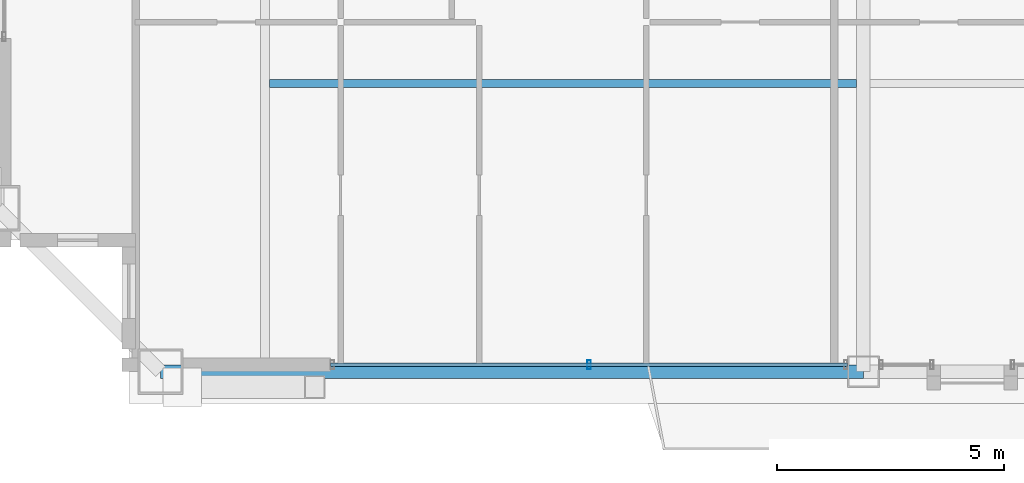
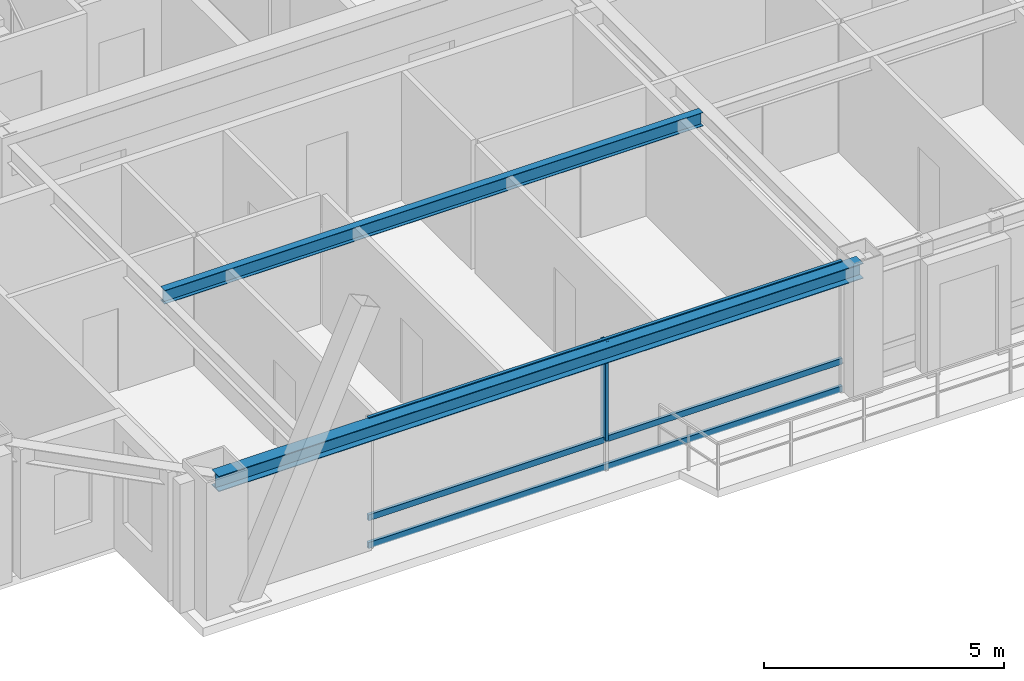
# One storey, part 5 of 35: 4 members, 2 beams, 1 element without a shape of its own.
"""IFC4 building model written with IfcOpenShell, lengths in metres."""

from ifc_helpers import new_model, si_unit, direction, frame, origin, origin_2d, place, context, subcontext, project, spatial, hollow_rectangle, i_section, extrude, source, transform, mapped, material, layer, layer_set, material_profile, profile_set, type_object, element, aggregate, save


model = new_model("IFC4")

# Units and contexts
model_context = context("Model", 3, precision=1e-05, world=origin(), true_north=direction((0.0, 1.0)))
body_context = subcontext(model_context, "Body", "Model", "MODEL_VIEW")
ifc_project = project(units=[si_unit("LENGTHUNIT", "METRE"), si_unit("AREAUNIT", "SQUARE_METRE"), si_unit("VOLUMEUNIT", "CUBIC_METRE"), si_unit("PLANEANGLEUNIT", "RADIAN"), si_unit("MASSUNIT", "GRAM", prefix="KILO"), si_unit("THERMODYNAMICTEMPERATUREUNIT", "KELVIN"), si_unit("POWERUNIT", "WATT")], contexts=[model_context])

# Site, building, storey
site_placement = place(None, origin())
site = spatial("IfcSite", under=ifc_project, at=site_placement, CompositionType="ELEMENT")
building_placement = place(site_placement, origin())
building = spatial("IfcBuilding", under=site, at=building_placement, Name="Yuzanri Waterfront Tower", CompositionType="ELEMENT")
storey_placement = place(building_placement, frame((0.0, 0.0, 299.60009765625)))
storey = spatial("IfcBuildingStorey", under=building, at=storey_placement, Name="L80", CompositionType="ELEMENT", Elevation=299.60009765625)

# Beams
ifc_material_1 = material(Name="Steel Q355B", Category="steel")
ifc_material_profile_1 = material_profile(ifc_material_1, i_section(OverallWidth=0.175048828125, OverallDepth=0.35009765625, WebThickness=0.007080078125, FlangeThickness=0.010986328125, at=origin_2d()), Name="HN 350x175x7x11")
ifc_profile_set_1 = profile_set([ifc_material_profile_1], Name="Steel Q355B")
beam_type_1 = type_object("IfcBeamType", Name="Floor Joist Q355B HN 350x175", PredefinedType="JOIST", material=ifc_profile_set_1)
shared_shape_1 = source(origin(), body_context, "Body", "SweptSolid", [
    extrude(i_section(OverallWidth=0.175048828125, OverallDepth=0.35009765625, WebThickness=0.007080078125, FlangeThickness=0.010986328125, at=origin_2d()), origin(), (0.0, 0.0, 1.0), 12.9501953125),
])
beam_1_placement = place(storey_placement, frame((23.89990234375, 13.050048828125, 3.10498046875), z_axis=(1.0, 0.0, 0.0), x_axis=(0.0, 1.0, 0.0)))
element("IfcBeam", 1, at=beam_1_placement, inside=storey, type_object=beam_type_1, Name="L80 South Bay Joist W", PredefinedType="JOIST", context=body_context, shape_type="MappedRepresentation", body=[
    mapped(shared_shape_1, transform((0.0, 0.0, 0.0), scale=1.0)),
])
ifc_material_2 = material(Name="Steel Q355B", Category="steel")
ifc_material_profile_2 = material_profile(ifc_material_2, i_section(OverallWidth=0.300048828125, OverallDepth=0.389892578125, WebThickness=0.010009765625, FlangeThickness=0.01611328125, at=origin_2d()), Name="HM 390x300x10x16")
ifc_profile_set_2 = profile_set([ifc_material_profile_2], Name="Steel Q355B")
beam_type_2 = type_object("IfcBeamType", Name="Perimeter Spandrel Q355B HM 390x300", PredefinedType="SPANDREL", material=ifc_profile_set_2)
shared_shape_2 = source(origin(), body_context, "Body", "SweptSolid", [
    extrude(i_section(OverallWidth=0.300048828125, OverallDepth=0.389892578125, WebThickness=0.010009765625, FlangeThickness=0.01611328125, at=origin_2d()), origin(), (0.0, 0.0, 1.0), 15.5),
])
beam_2_placement = place(storey_placement, frame((21.5, 6.699951171875, 3.0849609375), z_axis=(1.0, 0.0, 0.0), x_axis=(0.0, 1.0, 0.0)))
element("IfcBeam", 2, at=beam_2_placement, inside=storey, type_object=beam_type_2, Name="L80 Perimeter Spandrel S1-S2", PredefinedType="SPANDREL", context=body_context, shape_type="MappedRepresentation", body=[
    mapped(shared_shape_2, transform((0.0, 0.0, 0.0), scale=1.0)),
])

# Curtain wall, members
ifc_material_3 = material(Name="Anodized Architectural Bronze", Category="metal")
ifc_layer = layer(ifc_material_3, 0.159912109375)
ifc_layer_set = layer_set([ifc_layer], Name="Anodized Architectural Bronze")
curtain_wall_type = type_object("IfcCurtainWallType", Name="Anodized Bronze High-Rise Penthouse High-Wind Unitized Curtain Wall 6900", PredefinedType="NOTDEFINED", material=ifc_layer_set)
curtain_wall_placement = place(storey_placement, origin())
curtain_wall = element("IfcCurtainWall", 3, at=curtain_wall_placement, inside=storey, type_object=curtain_wall_type, Name="L80 Curtain Wall CW-L80-SL", PredefinedType="NOTDEFINED")
ifc_material_4 = material(Name="Anodized Architectural Bronze", Category="metal")
ifc_material_profile_3 = material_profile(ifc_material_4, hollow_rectangle(XDim=0.074951171875, YDim=0.199951171875, WallThickness=0.00390625, at=origin_2d()), Name="CWM 75x200")
ifc_profile_set_3 = profile_set([ifc_material_profile_3], Name="Anodized Architectural Bronze")
member_type_1 = type_object("IfcMemberType", Name="Anodized Bronze Primary Curtain-Wall Mullion 75x200", PredefinedType="MULLION", material=ifc_profile_set_3)
shared_shape_3 = source(origin(), body_context, "Body", "SweptSolid", [
    extrude(hollow_rectangle(XDim=0.074951171875, YDim=0.199951171875, WallThickness=0.00390625, at=origin_2d()), origin(), (0.0, 0.0, 1.0), 2.52392578125),
])
member_1_placement = place(storey_placement, frame((30.949951171875, 6.85009765625, 0.755859375), z_axis=(0.0, 0.0, 1.0), x_axis=(1.0, 0.0, 0.0)))
member_1 = element("IfcMember", 4, at=member_1_placement, type_object=member_type_1, Name="CW-L80-SL Upper Mullion 01", PredefinedType="MULLION", context=body_context, shape_type="MappedRepresentation", body=[
    mapped(shared_shape_3, transform((0.0, 0.0, 0.0), scale=1.0)),
])
ifc_material_5 = material(Name="Anodized Architectural Bronze", Category="metal")
ifc_material_profile_4 = material_profile(ifc_material_5, hollow_rectangle(XDim=0.074951171875, YDim=0.14990234375, WallThickness=0.00390625, at=origin_2d()), Name="CWT 75x150")
ifc_profile_set_4 = profile_set([ifc_material_profile_4], Name="Anodized Architectural Bronze")
member_type_2 = type_object("IfcMemberType", Name="Anodized Bronze Primary Curtain-Wall Transom 75x150", PredefinedType="USERDEFINED", material=ifc_profile_set_4)
shared_shape_4 = source(origin(), body_context, "Body", "SweptSolid", [
    extrude(hollow_rectangle(XDim=0.074951171875, YDim=0.14990234375, WallThickness=0.00390625, at=origin_2d()), origin(), (0.0, 0.0, 1.0), 11.39990234375),
])
member_2_placement = place(storey_placement, frame((25.25, 6.85009765625, 0.0498046875), z_axis=(1.0, 0.0, 0.0), x_axis=(0.0, 1.0, 0.0)))
member_2 = element("IfcMember", 5, at=member_2_placement, type_object=member_type_2, Name="CW-L80-SL Transom 1", ObjectType="TRANSOM", PredefinedType="USERDEFINED", context=body_context, shape_type="MappedRepresentation", body=[
    mapped(shared_shape_4, transform((0.0, 0.0, 0.0), scale=1.0)),
])
member_3_placement = place(storey_placement, frame((25.25, 6.85009765625, 0.75390625), z_axis=(1.0, 0.0, 0.0), x_axis=(0.0, 1.0, 0.0)))
member_3 = element("IfcMember", 6, at=member_3_placement, type_object=member_type_2, Name="CW-L80-SL Transom 2", ObjectType="TRANSOM", PredefinedType="USERDEFINED", context=body_context, shape_type="MappedRepresentation", body=[
    mapped(shared_shape_4, transform((0.0, 0.0, 0.0), scale=1.0)),
])
member_4_placement = place(storey_placement, frame((25.25, 6.85009765625, 3.22998046875), z_axis=(1.0, 0.0, 0.0), x_axis=(0.0, 1.0, 0.0)))
member_4 = element("IfcMember", 7, at=member_4_placement, type_object=member_type_2, Name="CW-L80-SL Transom 3", ObjectType="TRANSOM", PredefinedType="USERDEFINED", context=body_context, shape_type="MappedRepresentation", body=[
    mapped(shared_shape_4, transform((0.0, 0.0, 0.0), scale=1.0)),
])
aggregate(curtain_wall, [member_1, member_2, member_3, member_4])

save(model, "model.ifc")
